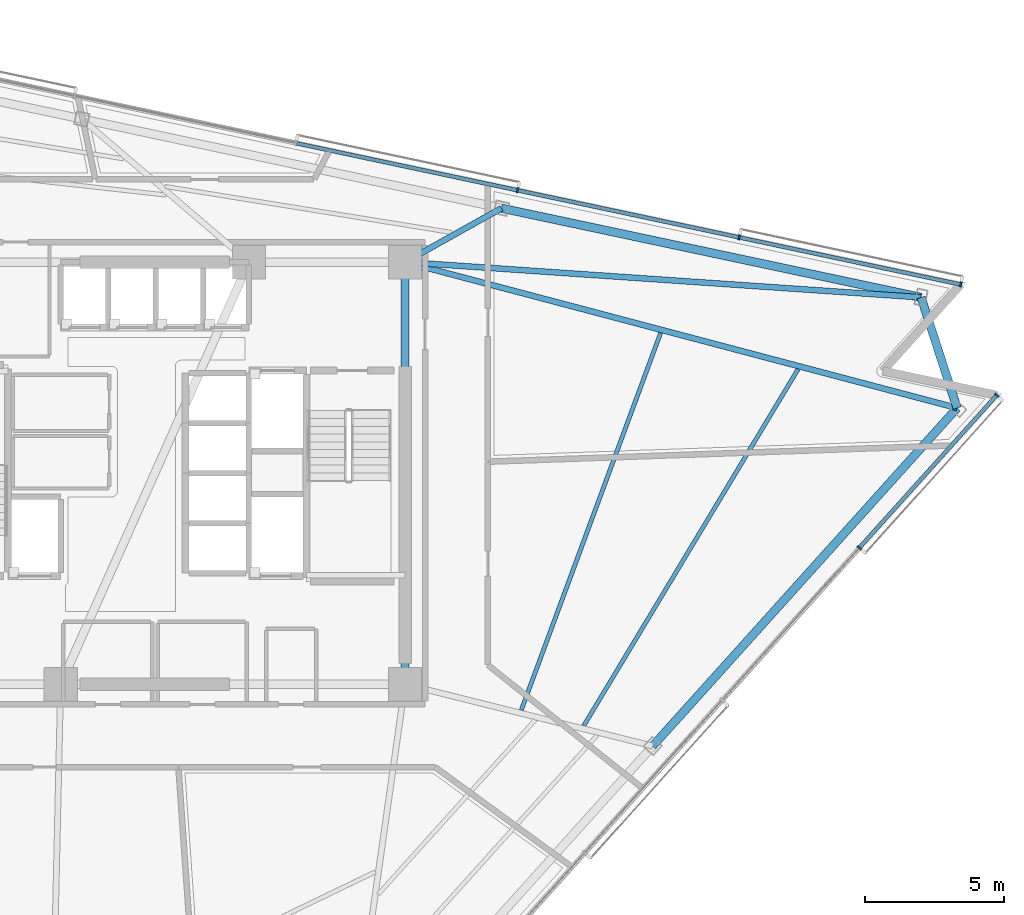
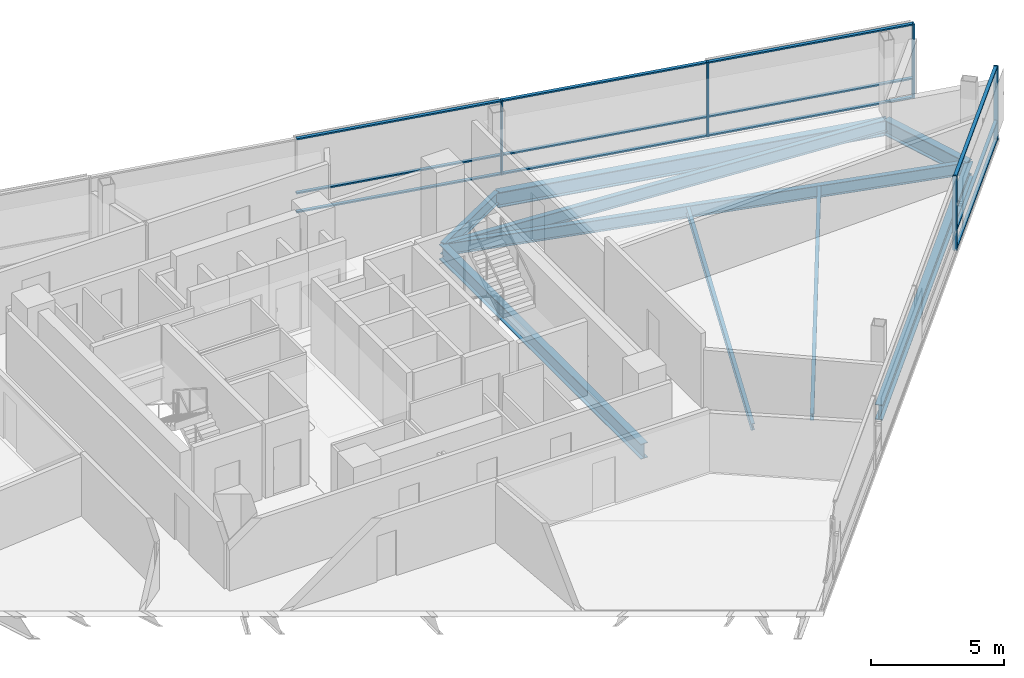
# One storey, part 8 of 17: 17 members, 9 beams, 2 elements without a shape of their own.
"""IFC4 building model written with IfcOpenShell, lengths in metres."""

from ifc_helpers import new_model, si_unit, direction, frame, origin, origin_2d, place, context, subcontext, project, spatial, rectangle, i_section, extrude, material, layer, layer_set, material_profile, profile_set, type_object, element, aggregate, save


model = new_model("IFC4")

# Units and contexts
model_context = context("Model", 3, precision=1e-05, world=origin(), true_north=direction((0.0, 1.0)))
body_context = subcontext(model_context, "Body", "Model", "MODEL_VIEW")
ifc_project = project(units=[si_unit("LENGTHUNIT", "METRE"), si_unit("AREAUNIT", "SQUARE_METRE"), si_unit("VOLUMEUNIT", "CUBIC_METRE"), si_unit("PLANEANGLEUNIT", "RADIAN"), si_unit("MASSUNIT", "GRAM", prefix="KILO")], contexts=[model_context])

# Site, building, storey
site_placement = place(None, origin())
site = spatial("IfcSite", under=ifc_project, at=site_placement, CompositionType="ELEMENT")
building_placement = place(site_placement, origin())
building = spatial("IfcBuilding", under=site, at=building_placement, Name="Tharavind Bronze Gate", CompositionType="ELEMENT")
storey_placement = place(building_placement, frame((0.0, 0.0, 204.050048828125)))
storey = spatial("IfcBuildingStorey", under=building, at=storey_placement, Name="L52", CompositionType="ELEMENT", Elevation=204.050048828125)

# Curtain wall, members
ifc_material_1 = material(Name="Anodised Bronze Aluminium", Category="aluminium")
ifc_layer = layer(ifc_material_1, 0.219970703125)
ifc_layer_set = layer_set([ifc_layer], Name="Anodised Bronze Aluminium")
curtain_wall_type = type_object("IfcCurtainWallType", Name="UNITISED CURTAIN WALL MID OFFICE", PredefinedType="USERDEFINED", material=ifc_layer_set)
curtain_wall_1_placement = place(storey_placement, origin())
curtain_wall_1 = element("IfcCurtainWall", 1, at=curtain_wall_1_placement, inside=storey, type_object=curtain_wall_type, Name="L52 unitised curtain wall mid office CW-L52-S2", ObjectType="UNITISED CURTAIN WALL", PredefinedType="USERDEFINED")
member_type_1 = type_object("IfcMemberType", Name="CURTAIN WALL BRONZE MULLION 65X180", PredefinedType="MULLION", material=ifc_material_1)
member_1_placement = place(storey_placement, frame((25.2548828125, -2.680908203125, 0.0), z_axis=(0.0, 0.0, 1.0), x_axis=(0.669130606359, 0.743144825477, 0.0)))
member_1 = element("IfcMember", 2, at=member_1_placement, type_object=member_type_1, Name="CW-L52-S2 mullion 7", PredefinedType="MULLION", context=body_context, shape_type="SweptSolid", body=[
    extrude(rectangle(XDim=0.06494140625, YDim=0.179931640625, at=origin_2d()), origin(), (0.0, 0.0, 1.0), 3.419921875),
])
member_2_placement = place(storey_placement, frame((30.199462890625, 2.810546875, 0.0), z_axis=(0.0, 0.0, 1.0), x_axis=(0.669130606359, 0.743144825477, 0.0)))
member_2 = element("IfcMember", 3, at=member_2_placement, type_object=member_type_1, Name="CW-L52-S2 mullion 8", PredefinedType="MULLION", context=body_context, shape_type="SweptSolid", body=[
    extrude(rectangle(XDim=0.06494140625, YDim=0.179931640625, at=origin_2d()), origin(), (0.0, 0.0, 1.0), 3.419921875),
])

curtain_wall_2_placement = place(storey_placement, origin())
curtain_wall_2 = element("IfcCurtainWall", 4, at=curtain_wall_2_placement, inside=storey, type_object=curtain_wall_type, Name="L52 unitised curtain wall mid office CW-L52-S3", ObjectType="UNITISED CURTAIN WALL", PredefinedType="USERDEFINED")
member_3_placement = place(storey_placement, frame((28.9052734375, 6.793701171875, 0.0), z_axis=(0.0, 0.0, 1.0), x_axis=(-0.978147600734, 0.207911690818, 0.0)))
member_3 = element("IfcMember", 5, at=member_3_placement, type_object=member_type_1, Name="CW-L52-S3 mullion 1", PredefinedType="MULLION", context=body_context, shape_type="SweptSolid", body=[
    extrude(rectangle(XDim=0.06494140625, YDim=0.179931640625, at=origin_2d()), origin(), (0.0, 0.0, 1.0), 3.419921875),
])
member_4_placement = place(storey_placement, frame((20.927734375, 8.4892578125, 0.0), z_axis=(0.0, 0.0, 1.0), x_axis=(-0.978147600734, 0.207911690818, 0.0)))
member_4 = element("IfcMember", 6, at=member_4_placement, type_object=member_type_1, Name="CW-L52-S3 mullion 2", PredefinedType="MULLION", context=body_context, shape_type="SweptSolid", body=[
    extrude(rectangle(XDim=0.06494140625, YDim=0.179931640625, at=origin_2d()), origin(), (0.0, 0.0, 1.0), 3.419921875),
])
member_5_placement = place(storey_placement, frame((12.9501953125, 10.184814453125, 0.0), z_axis=(0.0, 0.0, 1.0), x_axis=(-0.978147600734, 0.207911690818, 0.0)))
member_5 = element("IfcMember", 7, at=member_5_placement, type_object=member_type_1, Name="CW-L52-S3 mullion 3", PredefinedType="MULLION", context=body_context, shape_type="SweptSolid", body=[
    extrude(rectangle(XDim=0.06494140625, YDim=0.179931640625, at=origin_2d()), origin(), (0.0, 0.0, 1.0), 3.419921875),
])

# Member
member_type_2 = type_object("IfcMemberType", Name="CURTAIN WALL BRONZE TRANSOM 65X140", PredefinedType="USERDEFINED", material=ifc_material_1)
member_6_placement = place(storey_placement, frame((27.72705078125, 0.06494140625, 0.0), z_axis=(0.0, 0.0, 1.0), x_axis=(0.669130606359, 0.743144825477, 0.0)))
member_6 = element("IfcMember", 8, at=member_6_placement, type_object=member_type_2, Name="CW-L52-S2 transom TB7", ObjectType="TRANSOM", PredefinedType="USERDEFINED", context=body_context, shape_type="SweptSolid", body=[
    extrude(rectangle(XDim=7.33642578125, YDim=0.139892578125, at=origin_2d()), origin(), (0.0, 0.0, 1.0), 0.06494140625),
])

member_7_placement = place(storey_placement, frame((27.72705078125, 0.06494140625, 0.867431640625), z_axis=(0.0, 0.0, 1.0), x_axis=(0.669130606359, 0.743144825477, 0.0)))
member_7 = element("IfcMember", 9, at=member_7_placement, type_object=member_type_2, Name="CW-L52-S2 transom TS7", ObjectType="TRANSOM", PredefinedType="USERDEFINED", context=body_context, shape_type="SweptSolid", body=[
    extrude(rectangle(XDim=7.33642578125, YDim=0.139892578125, at=origin_2d()), origin(), (0.0, 0.0, 1.0), 0.06494140625),
])

member_8_placement = place(storey_placement, frame((27.72705078125, 0.06494140625, 3.35498046875), z_axis=(0.0, 0.0, 1.0), x_axis=(0.669130606359, 0.743144825477, 0.0)))
member_8 = element("IfcMember", 10, at=member_8_placement, type_object=member_type_2, Name="CW-L52-S2 transom TT7", ObjectType="TRANSOM", PredefinedType="USERDEFINED", context=body_context, shape_type="SweptSolid", body=[
    extrude(rectangle(XDim=7.33642578125, YDim=0.139892578125, at=origin_2d()), origin(), (0.0, 0.0, 1.0), 0.06494140625),
])

aggregate(curtain_wall_1, [member_1, member_2, member_6, member_7, member_8])

member_9_placement = place(storey_placement, frame((24.91650390625, 7.641357421875, 0.0), z_axis=(0.0, 0.0, 1.0), x_axis=(-0.978147600734, 0.207911690818, 0.0)))
member_9 = element("IfcMember", 11, at=member_9_placement, type_object=member_type_2, Name="CW-L52-S3 transom TB1", ObjectType="TRANSOM", PredefinedType="USERDEFINED", context=body_context, shape_type="SweptSolid", body=[
    extrude(rectangle(XDim=8.102783203125, YDim=0.139892578125, at=origin_2d()), origin(), (0.0, 0.0, 1.0), 0.06494140625),
])

member_10_placement = place(storey_placement, frame((24.91650390625, 7.641357421875, 0.867431640625), z_axis=(0.0, 0.0, 1.0), x_axis=(-0.978147600734, 0.207911690818, 0.0)))
member_10 = element("IfcMember", 12, at=member_10_placement, type_object=member_type_2, Name="CW-L52-S3 transom TS1", ObjectType="TRANSOM", PredefinedType="USERDEFINED", context=body_context, shape_type="SweptSolid", body=[
    extrude(rectangle(XDim=8.102783203125, YDim=0.139892578125, at=origin_2d()), origin(), (0.0, 0.0, 1.0), 0.06494140625),
])

member_11_placement = place(storey_placement, frame((24.91650390625, 7.641357421875, 3.35498046875), z_axis=(0.0, 0.0, 1.0), x_axis=(-0.978147600734, 0.207911690818, 0.0)))
member_11 = element("IfcMember", 13, at=member_11_placement, type_object=member_type_2, Name="CW-L52-S3 transom TT1", ObjectType="TRANSOM", PredefinedType="USERDEFINED", context=body_context, shape_type="SweptSolid", body=[
    extrude(rectangle(XDim=8.102783203125, YDim=0.139892578125, at=origin_2d()), origin(), (0.0, 0.0, 1.0), 0.06494140625),
])

member_12_placement = place(storey_placement, frame((16.93896484375, 9.337158203125, 0.0), z_axis=(0.0, 0.0, 1.0), x_axis=(-0.978147600734, 0.207911690818, 0.0)))
member_12 = element("IfcMember", 14, at=member_12_placement, type_object=member_type_2, Name="CW-L52-S3 transom TB2", ObjectType="TRANSOM", PredefinedType="USERDEFINED", context=body_context, shape_type="SweptSolid", body=[
    extrude(rectangle(XDim=8.102783203125, YDim=0.139892578125, at=origin_2d()), origin(), (0.0, 0.0, 1.0), 0.06494140625),
])

member_13_placement = place(storey_placement, frame((16.93896484375, 9.337158203125, 0.867431640625), z_axis=(0.0, 0.0, 1.0), x_axis=(-0.978147600734, 0.207911690818, 0.0)))
member_13 = element("IfcMember", 15, at=member_13_placement, type_object=member_type_2, Name="CW-L52-S3 transom TS2", ObjectType="TRANSOM", PredefinedType="USERDEFINED", context=body_context, shape_type="SweptSolid", body=[
    extrude(rectangle(XDim=8.102783203125, YDim=0.139892578125, at=origin_2d()), origin(), (0.0, 0.0, 1.0), 0.06494140625),
])

member_14_placement = place(storey_placement, frame((16.93896484375, 9.337158203125, 3.35498046875), z_axis=(0.0, 0.0, 1.0), x_axis=(-0.978147600734, 0.207911690818, 0.0)))
member_14 = element("IfcMember", 16, at=member_14_placement, type_object=member_type_2, Name="CW-L52-S3 transom TT2", ObjectType="TRANSOM", PredefinedType="USERDEFINED", context=body_context, shape_type="SweptSolid", body=[
    extrude(rectangle(XDim=8.102783203125, YDim=0.139892578125, at=origin_2d()), origin(), (0.0, 0.0, 1.0), 0.06494140625),
])

member_15_placement = place(storey_placement, frame((8.96142578125, 11.03271484375, 0.0), z_axis=(0.0, 0.0, 1.0), x_axis=(-0.978147600734, 0.207911690818, 0.0)))
member_15 = element("IfcMember", 17, at=member_15_placement, type_object=member_type_2, Name="CW-L52-S3 transom TB3", ObjectType="TRANSOM", PredefinedType="USERDEFINED", context=body_context, shape_type="SweptSolid", body=[
    extrude(rectangle(XDim=8.102783203125, YDim=0.139892578125, at=origin_2d()), origin(), (0.0, 0.0, 1.0), 0.06494140625),
])

member_16_placement = place(storey_placement, frame((8.96142578125, 11.03271484375, 0.867431640625), z_axis=(0.0, 0.0, 1.0), x_axis=(-0.978147600734, 0.207911690818, 0.0)))
member_16 = element("IfcMember", 18, at=member_16_placement, type_object=member_type_2, Name="CW-L52-S3 transom TS3", ObjectType="TRANSOM", PredefinedType="USERDEFINED", context=body_context, shape_type="SweptSolid", body=[
    extrude(rectangle(XDim=8.102783203125, YDim=0.139892578125, at=origin_2d()), origin(), (0.0, 0.0, 1.0), 0.06494140625),
])

member_17_placement = place(storey_placement, frame((8.96142578125, 11.03271484375, 3.35498046875), z_axis=(0.0, 0.0, 1.0), x_axis=(-0.978147600734, 0.207911690818, 0.0)))
member_17 = element("IfcMember", 19, at=member_17_placement, type_object=member_type_2, Name="CW-L52-S3 transom TT3", ObjectType="TRANSOM", PredefinedType="USERDEFINED", context=body_context, shape_type="SweptSolid", body=[
    extrude(rectangle(XDim=8.102783203125, YDim=0.139892578125, at=origin_2d()), origin(), (0.0, 0.0, 1.0), 0.06494140625),
])

aggregate(curtain_wall_2, [member_3, member_4, member_5, member_9, member_10, member_11, member_12, member_13, member_14, member_15, member_16, member_17])

# Beams
ifc_material_2 = material(Name="Steel S355", Category="steel")
ifc_material_profile_1 = material_profile(ifc_material_2, i_section(OverallWidth=0.2099609375, OverallDepth=0.550048828125, WebThickness=0.010986328125, FlangeThickness=0.01708984375, at=origin_2d()), Name="IPE550")
ifc_profile_set_1 = profile_set([ifc_material_profile_1], Name="Steel S355")
beam_type_1 = type_object("IfcBeamType", Name="PRIMARY GIRDER IPE550", PredefinedType="USERDEFINED", material=ifc_profile_set_1)
beam_1_placement = place(storey_placement, frame((28.772705078125, 2.34716796875, -0.455078125), z_axis=(-0.966795643793, 0.255550744749, 0.0), x_axis=(-0.255550744749, -0.966795643793, 0.0)))
element("IfcBeam", 20, at=beam_1_placement, inside=storey, type_object=beam_type_1, Name="L52 primary girder ipe550 BM-L52-RAD08", ObjectType="GIRDER", PredefinedType="USERDEFINED", context=body_context, shape_type="SweptSolid", body=[
    extrude(i_section(OverallWidth=0.2099609375, OverallDepth=0.550048828125, WebThickness=0.010986328125, FlangeThickness=0.01708984375, at=origin_2d()), origin(), (0.0, 0.0, 1.0), 20.555419921875),
])
beam_2_placement = place(storey_placement, frame((27.478515625, 6.330078125, -0.455078125), z_axis=(-0.997671665482, 0.068200057871, 0.0), x_axis=(-0.068200057871, -0.997671665482, 0.0)))
element("IfcBeam", 21, at=beam_2_placement, inside=storey, type_object=beam_type_1, Name="L52 primary girder ipe550 BM-L52-RAD09", ObjectType="GIRDER", PredefinedType="USERDEFINED", context=body_context, shape_type="SweptSolid", body=[
    extrude(i_section(OverallWidth=0.2099609375, OverallDepth=0.550048828125, WebThickness=0.010986328125, FlangeThickness=0.01708984375, at=origin_2d()), origin(), (0.0, 0.0, 1.0), 18.6220703125),
])
beam_3_placement = place(storey_placement, frame((12.370849609375, 9.54150390625, -0.455078125), z_axis=(-0.872755044117, -0.488158409708, 0.0), x_axis=(0.488158409708, -0.872755044117, 0.0)))
element("IfcBeam", 22, at=beam_3_placement, inside=storey, type_object=beam_type_1, Name="L52 primary girder ipe550 BM-L52-RAD10", ObjectType="GIRDER", PredefinedType="USERDEFINED", context=body_context, shape_type="SweptSolid", body=[
    extrude(i_section(OverallWidth=0.2099609375, OverallDepth=0.550048828125, WebThickness=0.010986328125, FlangeThickness=0.01708984375, at=origin_2d()), origin(), (0.0, 0.0, 1.0), 3.97705078125),
])
ifc_material_profile_2 = material_profile(ifc_material_2, i_section(OverallWidth=0.300048828125, OverallDepth=0.699951171875, WebThickness=0.01708984375, FlangeThickness=0.031982421875, at=origin_2d()), Name="HE700B")
ifc_profile_set_2 = profile_set([ifc_material_profile_2], Name="Steel S355")
beam_type_2 = type_object("IfcBeamType", Name="RING GIRDER HE700B", PredefinedType="USERDEFINED", material=ifc_profile_set_2)
beam_4_placement = place(storey_placement, frame((8.89990234375, -7.60009765625, -0.530029296875), z_axis=(0.0, 1.0, 0.0), x_axis=(-1.0, 0.0, 0.0)))
element("IfcBeam", 23, at=beam_4_placement, inside=storey, type_object=beam_type_2, Name="L52 ring girder he700b BM-L52-CR3", ObjectType="GIRDER", PredefinedType="USERDEFINED", context=body_context, shape_type="SweptSolid", body=[
    extrude(i_section(OverallWidth=0.300048828125, OverallDepth=0.699951171875, WebThickness=0.01708984375, FlangeThickness=0.031982421875, at=origin_2d()), origin(), (0.0, 0.0, 1.0), 15.2001953125),
])
beam_5_placement = place(storey_placement, frame((17.815185546875, -9.82275390625, -0.530029296875), z_axis=(0.669119566961, 0.743154765248, 0.0), x_axis=(-0.743154765248, 0.669119566961, 0.0)))
element("IfcBeam", 24, at=beam_5_placement, inside=storey, type_object=beam_type_2, Name="L52 ring girder he700b BM-L52-PRG07", ObjectType="GIRDER", PredefinedType="USERDEFINED", context=body_context, shape_type="SweptSolid", body=[
    extrude(i_section(OverallWidth=0.300048828125, OverallDepth=0.699951171875, WebThickness=0.01708984375, FlangeThickness=0.031982421875, at=origin_2d()), origin(), (0.0, 0.0, 1.0), 16.3759765625),
])
beam_6_placement = place(storey_placement, frame((28.772705078125, 2.34716796875, -0.530029296875), z_axis=(-0.309030708092, 0.951052060329, 0.0), x_axis=(-0.951052060329, -0.309030708092, 0.0)))
element("IfcBeam", 25, at=beam_6_placement, inside=storey, type_object=beam_type_2, Name="L52 ring girder he700b BM-L52-PRG08", ObjectType="GIRDER", PredefinedType="USERDEFINED", context=body_context, shape_type="SweptSolid", body=[
    extrude(i_section(OverallWidth=0.300048828125, OverallDepth=0.699951171875, WebThickness=0.01708984375, FlangeThickness=0.031982421875, at=origin_2d()), origin(), (0.0, 0.0, 1.0), 4.18798828125),
])
beam_7_placement = place(storey_placement, frame((27.478515625, 6.330078125, -0.530029296875), z_axis=(-0.978145069448, 0.207923599223, 0.0), x_axis=(-0.207923599223, -0.978145069448, 0.0)))
element("IfcBeam", 26, at=beam_7_placement, inside=storey, type_object=beam_type_2, Name="L52 ring girder he700b BM-L52-PRG09", ObjectType="GIRDER", PredefinedType="USERDEFINED", context=body_context, shape_type="SweptSolid", body=[
    extrude(i_section(OverallWidth=0.300048828125, OverallDepth=0.699951171875, WebThickness=0.01708984375, FlangeThickness=0.031982421875, at=origin_2d()), origin(), (0.0, 0.0, 1.0), 15.4453125),
])
ifc_material_profile_3 = material_profile(ifc_material_2, i_section(OverallWidth=0.14990234375, OverallDepth=0.300048828125, WebThickness=0.007080078125, FlangeThickness=0.0107421875, at=origin_2d()), Name="IPE300")
ifc_profile_set_3 = profile_set([ifc_material_profile_3], Name="Steel S355")
beam_type_3 = type_object("IfcBeamType", Name="SECONDARY FLOOR JOIST IPE300", PredefinedType="JOIST", material=ifc_profile_set_3)
beam_8_placement = place(storey_placement, frame((13.08349609375, -8.53076171875, -0.330078125), z_axis=(0.346563730463, 0.938026428587, 0.0), x_axis=(-0.938026428587, 0.346563730463, 0.0)))
element("IfcBeam", 27, at=beam_8_placement, inside=storey, type_object=beam_type_3, Name="L52 secondary floor joist ipe300 BM-L52-JSTA07", PredefinedType="JOIST", context=body_context, shape_type="SweptSolid", body=[
    extrude(i_section(OverallWidth=0.14990234375, OverallDepth=0.300048828125, WebThickness=0.007080078125, FlangeThickness=0.0107421875, at=origin_2d()), origin(), (0.0, 0.0, 1.0), 14.48291015625),
])
beam_9_placement = place(storey_placement, frame((15.3330078125, -9.091796875, -0.330078125), z_axis=(0.515205011559, 0.857066972917, 0.0), x_axis=(-0.857066972917, 0.515205011559, 0.0)))
element("IfcBeam", 28, at=beam_9_placement, inside=storey, type_object=beam_type_3, Name="L52 secondary floor joist ipe300 BM-L52-JSTB07", PredefinedType="JOIST", context=body_context, shape_type="SweptSolid", body=[
    extrude(i_section(OverallWidth=0.14990234375, OverallDepth=0.300048828125, WebThickness=0.007080078125, FlangeThickness=0.0107421875, at=origin_2d()), origin(), (0.0, 0.0, 1.0), 14.97998046875),
])

save(model, "model.ifc")
